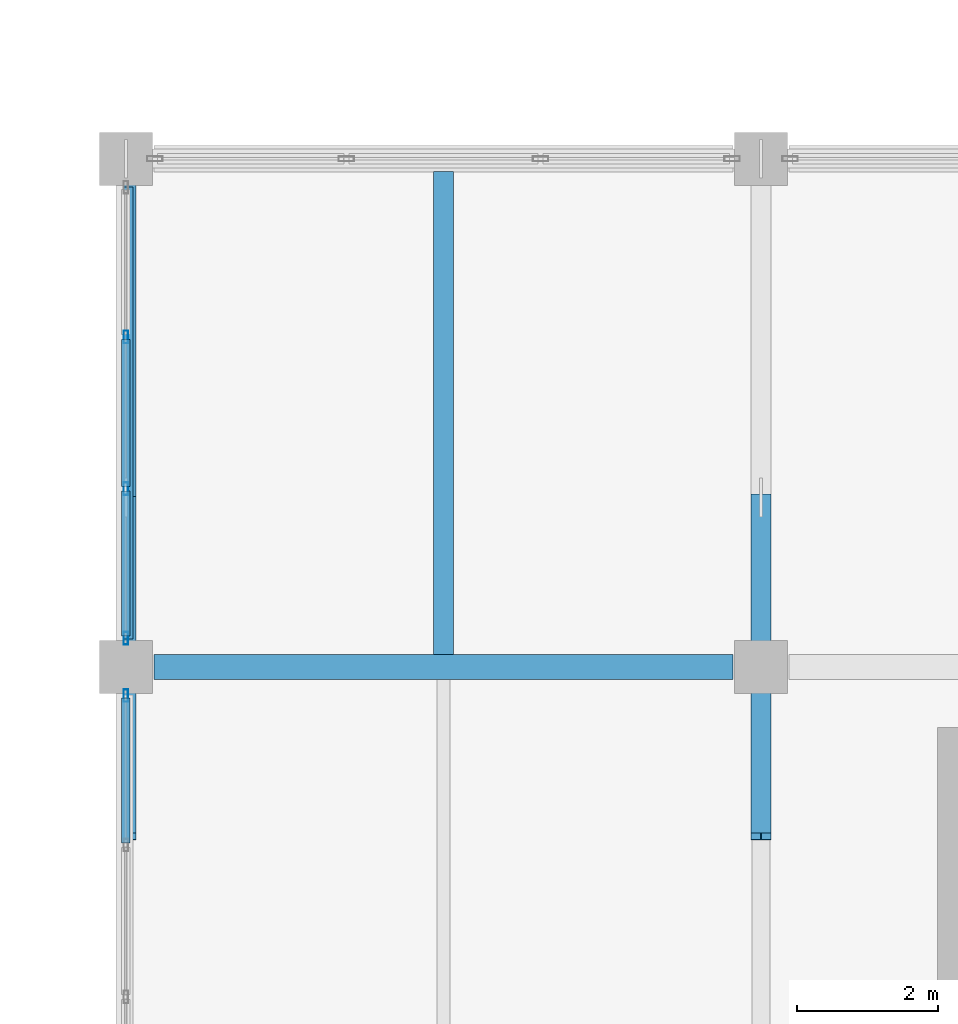
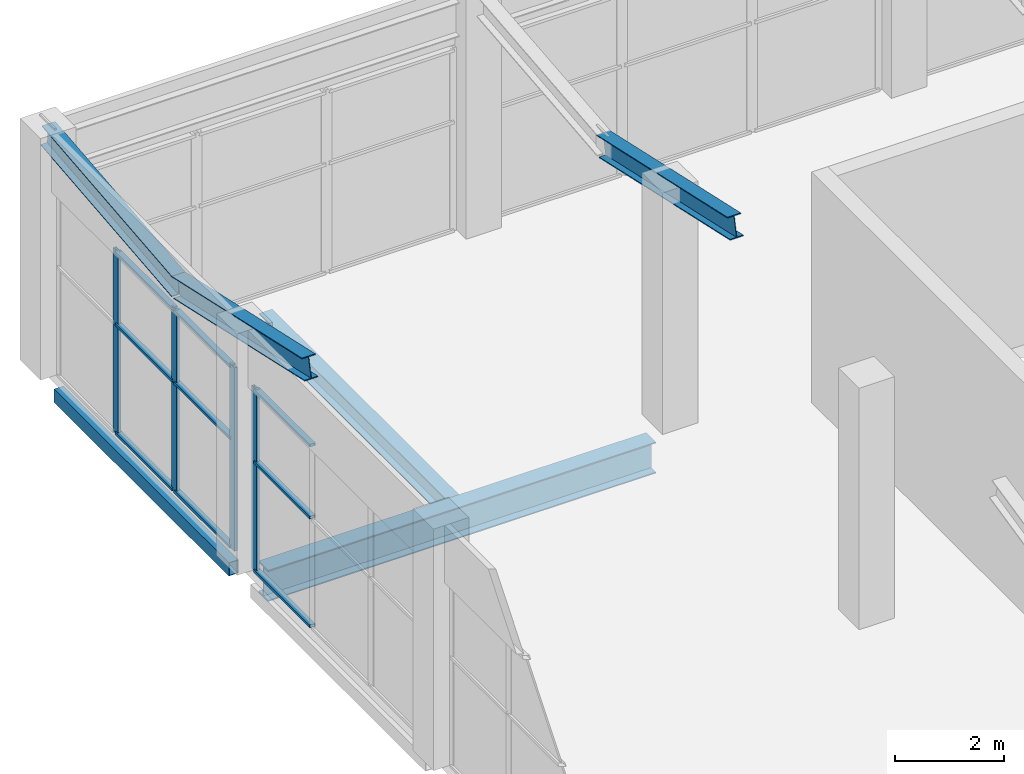
# One storey, part 84 of 189: 16 members, 3 beams, 2 elements without a shape of their own.
"""IFC4 building model written with IfcOpenShell, lengths in metres."""

from ifc_helpers import new_model, si_unit, direction, frame, origin, origin_2d, place, context, subcontext, project, spatial, hollow_rectangle, i_section, extrude, material, layer, layer_set, material_profile, profile_set, type_object, element, aggregate, save


model = new_model("IFC4")

# Units and contexts
model_context = context("Model", 3, precision=1e-05, world=origin(), true_north=direction((0.0, 1.0)))
body_context = subcontext(model_context, "Body", "Model", "MODEL_VIEW")
ifc_project = project(units=[si_unit("LENGTHUNIT", "METRE"), si_unit("AREAUNIT", "SQUARE_METRE"), si_unit("VOLUMEUNIT", "CUBIC_METRE"), si_unit("PLANEANGLEUNIT", "RADIAN"), si_unit("MASSUNIT", "GRAM", prefix="KILO")], contexts=[model_context])

# Site, building, storey
site_placement = place(None, origin())
site = spatial("IfcSite", under=ifc_project, at=site_placement, CompositionType="ELEMENT")
building_placement = place(site_placement, origin())
building = spatial("IfcBuilding", under=site, at=building_placement, Name="Celestram Park Convention Centre", CompositionType="ELEMENT")
storey_placement = place(building_placement, frame((0.0, 0.0, 5.39990234375)))
storey = spatial("IfcBuildingStorey", under=building, at=storey_placement, Name="L01", CompositionType="ELEMENT", Elevation=5.39990234375)

# Curtain wall, member
ifc_material_1 = material(Name="Anodised Aluminium Alloy 6063-T6", Category="aluminium")
ifc_layer = layer(ifc_material_1, 0.179931640625)
ifc_layer_set = layer_set([ifc_layer], Name="Anodised Aluminium Alloy 6063-T6")
curtain_wall_type = type_object("IfcCurtainWallType", Name="ARC-CW-645X410", PredefinedType="NOTDEFINED", material=ifc_layer_set)
curtain_wall_1_placement = place(storey_placement, origin())
curtain_wall_1 = element("IfcCurtainWall", 1, at=curtain_wall_1_placement, inside=storey, type_object=curtain_wall_type, Name="Unitised curtain wall CU-L01-045", PredefinedType="NOTDEFINED")
ifc_material_profile_1 = material_profile(ifc_material_1, hollow_rectangle(XDim=0.06494140625, YDim=0.179931640625, WallThickness=0.00390625, at=origin_2d()), Name="ALU65X180X4")
ifc_profile_set_1 = profile_set([ifc_material_profile_1], Name="Anodised Aluminium Alloy 6063-T6")
member_type_1 = type_object("IfcMemberType", Name="ARC-CWM-150", PredefinedType="MULLION", material=ifc_profile_set_1)
member_1_placement = place(storey_placement, frame((0.0, 129.194580078125, 0.0), z_axis=(0.0, 0.0, 1.0), x_axis=(-1.0, 0.0, 0.0)))
member_1 = element("IfcMember", 2, at=member_1_placement, type_object=member_type_1, Name="CW-64X41 mullion 4", PredefinedType="MULLION", context=body_context, shape_type="SweptSolid", body=[
    extrude(hollow_rectangle(XDim=0.06494140625, YDim=0.179931640625, WallThickness=0.00390625, at=origin_2d()), origin(), (0.0, 0.0, 1.0), 4.10009765625),
])

# Curtain wall, members
curtain_wall_2_placement = place(storey_placement, origin())
curtain_wall_2 = element("IfcCurtainWall", 3, at=curtain_wall_2_placement, inside=storey, type_object=curtain_wall_type, Name="Unitised curtain wall CU-L01-046", PredefinedType="NOTDEFINED")
member_2_placement = place(storey_placement, frame((0.0, 130.005615234375, 0.0), z_axis=(0.0, 0.0, 1.0), x_axis=(-1.0, 0.0, 0.0)))
member_2 = element("IfcMember", 4, at=member_2_placement, type_object=member_type_1, Name="CW-64X41 mullion 1", PredefinedType="MULLION", context=body_context, shape_type="SweptSolid", body=[
    extrude(hollow_rectangle(XDim=0.06494140625, YDim=0.179931640625, WallThickness=0.00390625, at=origin_2d()), origin(), (0.0, 0.0, 1.0), 4.10009765625),
])
member_3_placement = place(storey_placement, frame((0.0, 132.124267578125, 0.0), z_axis=(0.0, 0.0, 1.0), x_axis=(-1.0, 0.0, 0.0)))
member_3 = element("IfcMember", 5, at=member_3_placement, type_object=member_type_1, Name="CW-64X41 mullion 2", PredefinedType="MULLION", context=body_context, shape_type="SweptSolid", body=[
    extrude(hollow_rectangle(XDim=0.06494140625, YDim=0.179931640625, WallThickness=0.00390625, at=origin_2d()), origin(), (0.0, 0.0, 1.0), 4.10009765625),
])
member_4_placement = place(storey_placement, frame((0.0, 134.275634765625, 0.0), z_axis=(0.0, 0.0, 1.0), x_axis=(-1.0, 0.0, 0.0)))
member_4 = element("IfcMember", 6, at=member_4_placement, type_object=member_type_1, Name="CW-64X41 mullion 3", PredefinedType="MULLION", context=body_context, shape_type="SweptSolid", body=[
    extrude(hollow_rectangle(XDim=0.06494140625, YDim=0.179931640625, WallThickness=0.00390625, at=origin_2d()), origin(), (0.0, 0.0, 1.0), 4.10009765625),
])

# Member
ifc_material_profile_2 = material_profile(ifc_material_1, hollow_rectangle(XDim=0.1201171875, YDim=0.06005859375, WallThickness=0.0029296875, at=origin_2d()), Name="ALU120X60X3")
ifc_profile_set_2 = profile_set([ifc_material_profile_2], Name="Anodised Aluminium Alloy 6063-T6")
member_type_2 = type_object("IfcMemberType", Name="ARC-CWT-120", PredefinedType="USERDEFINED", material=ifc_profile_set_2)
member_5_placement = place(storey_placement, frame((0.0, 127.108154296875, 0.030029296875), z_axis=(0.0, 1.0, 0.0), x_axis=(-1.0, 0.0, 0.0)))
member_5 = element("IfcMember", 7, at=member_5_placement, type_object=member_type_2, Name="CW-64X41 transom 3.1", ObjectType="TRANSOM", PredefinedType="USERDEFINED", context=body_context, shape_type="SweptSolid", body=[
    extrude(hollow_rectangle(XDim=0.1201171875, YDim=0.06005859375, WallThickness=0.0029296875, at=origin_2d()), origin(), (0.0, 0.0, 1.0), 2.053955078125),
])

member_6_placement = place(storey_placement, frame((0.0, 127.108154296875, 2.460205078125), z_axis=(0.0, 1.0, 0.0), x_axis=(-1.0, 0.0, 0.0)))
member_6 = element("IfcMember", 8, at=member_6_placement, type_object=member_type_2, Name="CW-64X41 transom 3.2", ObjectType="TRANSOM", PredefinedType="USERDEFINED", context=body_context, shape_type="SweptSolid", body=[
    extrude(hollow_rectangle(XDim=0.1201171875, YDim=0.06005859375, WallThickness=0.0029296875, at=origin_2d()), origin(), (0.0, 0.0, 1.0), 2.053955078125),
])

member_7_placement = place(storey_placement, frame((0.0, 127.108154296875, 4.070068359375), z_axis=(0.0, 1.0, 0.0), x_axis=(-1.0, 0.0, 0.0)))
member_7 = element("IfcMember", 9, at=member_7_placement, type_object=member_type_2, Name="CW-64X41 transom 3.3", ObjectType="TRANSOM", PredefinedType="USERDEFINED", context=body_context, shape_type="SweptSolid", body=[
    extrude(hollow_rectangle(XDim=0.1201171875, YDim=0.06005859375, WallThickness=0.0029296875, at=origin_2d()), origin(), (0.0, 0.0, 1.0), 2.053955078125),
])

aggregate(curtain_wall_1, [member_1, member_5, member_6, member_7])

member_8_placement = place(storey_placement, frame((0.0, 130.0380859375, 0.030029296875), z_axis=(0.0, 1.0, 0.0), x_axis=(-1.0, 0.0, 0.0)))
member_8 = element("IfcMember", 10, at=member_8_placement, type_object=member_type_2, Name="CW-64X41 transom 1.1", ObjectType="TRANSOM", PredefinedType="USERDEFINED", context=body_context, shape_type="SweptSolid", body=[
    extrude(hollow_rectangle(XDim=0.1201171875, YDim=0.06005859375, WallThickness=0.0029296875, at=origin_2d()), origin(), (0.0, 0.0, 1.0), 2.0537109375),
])

member_9_placement = place(storey_placement, frame((0.0, 130.0380859375, 2.460205078125), z_axis=(0.0, 1.0, 0.0), x_axis=(-1.0, 0.0, 0.0)))
member_9 = element("IfcMember", 11, at=member_9_placement, type_object=member_type_2, Name="CW-64X41 transom 1.2", ObjectType="TRANSOM", PredefinedType="USERDEFINED", context=body_context, shape_type="SweptSolid", body=[
    extrude(hollow_rectangle(XDim=0.1201171875, YDim=0.06005859375, WallThickness=0.0029296875, at=origin_2d()), origin(), (0.0, 0.0, 1.0), 2.0537109375),
])

member_10_placement = place(storey_placement, frame((0.0, 130.0380859375, 4.070068359375), z_axis=(0.0, 1.0, 0.0), x_axis=(-1.0, 0.0, 0.0)))
member_10 = element("IfcMember", 12, at=member_10_placement, type_object=member_type_2, Name="CW-64X41 transom 1.3", ObjectType="TRANSOM", PredefinedType="USERDEFINED", context=body_context, shape_type="SweptSolid", body=[
    extrude(hollow_rectangle(XDim=0.1201171875, YDim=0.06005859375, WallThickness=0.0029296875, at=origin_2d()), origin(), (0.0, 0.0, 1.0), 2.0537109375),
])

member_11_placement = place(storey_placement, frame((0.0, 132.15673828125, 0.030029296875), z_axis=(0.0, 1.0, 0.0), x_axis=(-1.0, 0.0, 0.0)))
member_11 = element("IfcMember", 13, at=member_11_placement, type_object=member_type_2, Name="CW-64X41 transom 2.1", ObjectType="TRANSOM", PredefinedType="USERDEFINED", context=body_context, shape_type="SweptSolid", body=[
    extrude(hollow_rectangle(XDim=0.1201171875, YDim=0.06005859375, WallThickness=0.0029296875, at=origin_2d()), origin(), (0.0, 0.0, 1.0), 2.08642578125),
])

member_12_placement = place(storey_placement, frame((0.0, 132.15673828125, 2.460205078125), z_axis=(0.0, 1.0, 0.0), x_axis=(-1.0, 0.0, 0.0)))
member_12 = element("IfcMember", 14, at=member_12_placement, type_object=member_type_2, Name="CW-64X41 transom 2.2", ObjectType="TRANSOM", PredefinedType="USERDEFINED", context=body_context, shape_type="SweptSolid", body=[
    extrude(hollow_rectangle(XDim=0.1201171875, YDim=0.06005859375, WallThickness=0.0029296875, at=origin_2d()), origin(), (0.0, 0.0, 1.0), 2.08642578125),
])

member_13_placement = place(storey_placement, frame((0.0, 132.15673828125, 4.070068359375), z_axis=(0.0, 1.0, 0.0), x_axis=(-1.0, 0.0, 0.0)))
member_13 = element("IfcMember", 15, at=member_13_placement, type_object=member_type_2, Name="CW-64X41 transom 2.3", ObjectType="TRANSOM", PredefinedType="USERDEFINED", context=body_context, shape_type="SweptSolid", body=[
    extrude(hollow_rectangle(XDim=0.1201171875, YDim=0.06005859375, WallThickness=0.0029296875, at=origin_2d()), origin(), (0.0, 0.0, 1.0), 2.08642578125),
])

aggregate(curtain_wall_2, [member_2, member_3, member_4, member_8, member_9, member_10, member_11, member_12, member_13])

# Beam
ifc_material_2 = material(Name="Steel ASTM A992 Grade 50", Category="steel")
ifc_material_profile_3 = material_profile(ifc_material_2, i_section(OverallWidth=0.35595703125, OverallDepth=0.696044921875, WebThickness=0.015380859375, FlangeThickness=0.02490234375, at=origin_2d()), Name="W27X146")
ifc_profile_set_3 = profile_set([ifc_material_profile_3], Name="Steel ASTM A992 Grade 50")
beam_type_1 = type_object("IfcBeamType", Name="STR-BM-W27X146", PredefinedType="BEAM", material=ifc_profile_set_3)
beam_1_placement = place(storey_placement, frame((0.39794921875, 129.60009765625, -0.6279296875), z_axis=(1.0, 0.0, 0.0), x_axis=(0.0, 1.0, 0.0)))
element("IfcBeam", 16, at=beam_1_placement, inside=storey, type_object=beam_type_1, Name="Primary X-girder BG-L01-0007", PredefinedType="BEAM", context=body_context, shape_type="SweptSolid", body=[
    extrude(i_section(OverallWidth=0.35595703125, OverallDepth=0.696044921875, WebThickness=0.015380859375, FlangeThickness=0.02490234375, at=origin_2d()), origin(), (0.0, 0.0, 1.0), 8.2041015625),
])

# Members
ifc_material_profile_4 = material_profile(ifc_material_2, i_section(OverallWidth=0.281982421875, OverallDepth=0.467041015625, WebThickness=0.01220703125, FlangeThickness=0.01953125, at=origin_2d()), Name="W18X86")
ifc_profile_set_4 = profile_set([ifc_material_profile_4], Name="Steel ASTM A992 Grade 50")
member_type_3 = type_object("IfcMemberType", Name="STR-CHD-W18X86", PredefinedType="CHORD", material=ifc_profile_set_4)
member_14_placement = place(storey_placement, frame((0.0, 127.199951171875, 5.747314453125), z_axis=(0.0, 0.976198741481, -0.216877885295), x_axis=(-1.0, 0.0, 0.0)))
element("IfcMember", 17, at=member_14_placement, inside=storey, type_object=member_type_3, Name="WPV arch bottom chord", PredefinedType="CHORD", context=body_context, shape_type="SweptSolid", body=[
    extrude(i_section(OverallWidth=0.281982421875, OverallDepth=0.467041015625, WebThickness=0.01220703125, FlangeThickness=0.01953125, at=origin_2d()), origin(), (0.0, 0.0, 1.0), 4.9169921875),
])
member_15_placement = place(storey_placement, frame((0.0, 132.0, 4.680908203125), z_axis=(0.0, 0.994972344387, 0.100150056942), x_axis=(-1.0, 0.0, 0.0)))
element("IfcMember", 18, at=member_15_placement, inside=storey, type_object=member_type_3, Name="WPV arch bottom chord", PredefinedType="CHORD", context=body_context, shape_type="SweptSolid", body=[
    extrude(i_section(OverallWidth=0.281982421875, OverallDepth=0.467041015625, WebThickness=0.01220703125, FlangeThickness=0.01953125, at=origin_2d()), origin(), (0.0, 0.0, 1.0), 4.82421875),
])
member_16_placement = place(storey_placement, frame((9.0, 127.199951171875, 5.747314453125), z_axis=(0.0, 0.976198741481, -0.216877885295), x_axis=(-1.0, 0.0, 0.0)))
element("IfcMember", 19, at=member_16_placement, inside=storey, type_object=member_type_3, Name="WPV arch bottom chord", PredefinedType="CHORD", context=body_context, shape_type="SweptSolid", body=[
    extrude(i_section(OverallWidth=0.281982421875, OverallDepth=0.467041015625, WebThickness=0.01220703125, FlangeThickness=0.01953125, at=origin_2d()), origin(), (0.0, 0.0, 1.0), 4.9169921875),
])

# Beams
ifc_material_profile_5 = material_profile(ifc_material_2, i_section(OverallWidth=0.281982421875, OverallDepth=0.467041015625, WebThickness=0.01220703125, FlangeThickness=0.01953125, at=origin_2d()), Name="W18X86")
ifc_profile_set_5 = profile_set([ifc_material_profile_5], Name="Steel ASTM A992 Grade 50")
beam_type_2 = type_object("IfcBeamType", Name="STR-JST-W18X86", PredefinedType="JOIST", material=ifc_profile_set_5)
beam_2_placement = place(storey_placement, frame((4.5, 129.77392578125, -0.513427734375), z_axis=(0.0, 1.0, 0.0), x_axis=(-1.0, 0.0, 0.0)))
element("IfcBeam", 20, at=beam_2_placement, inside=storey, type_object=beam_type_2, Name="Secondary composite joist BG-L01-0548", PredefinedType="JOIST", context=body_context, shape_type="SweptSolid", body=[
    extrude(i_section(OverallWidth=0.281982421875, OverallDepth=0.467041015625, WebThickness=0.01220703125, FlangeThickness=0.01953125, at=origin_2d()), origin(), (0.0, 0.0, 1.0), 6.843994140625),
])
ifc_material_3 = material(Name="Steel ASTM A500 Grade C", Category="steel")
ifc_material_profile_6 = material_profile(ifc_material_3, hollow_rectangle(XDim=0.199951171875, YDim=0.300048828125, WallThickness=0.011962890625, at=origin_2d()), Name="HSS300X200X12")
ifc_profile_set_6 = profile_set([ifc_material_profile_6], Name="Steel ASTM A500 Grade C")
beam_type_3 = type_object("IfcBeamType", Name="STR-SPN-HSS300X200", PredefinedType="SPANDREL", material=ifc_profile_set_6)
beam_3_placement = place(storey_placement, frame((0.0, 129.998046875, -0.429931640625), z_axis=(0.0, 1.0, 0.0), x_axis=(-1.0, 0.0, 0.0)))
element("IfcBeam", 21, at=beam_3_placement, inside=storey, type_object=beam_type_3, Name="Primary Y-girder BG-L01-0008", PredefinedType="SPANDREL", context=body_context, shape_type="SweptSolid", body=[
    extrude(hollow_rectangle(XDim=0.199951171875, YDim=0.300048828125, WallThickness=0.011962890625, at=origin_2d()), origin(), (0.0, 0.0, 1.0), 6.404052734375),
])

save(model, "model.ifc")
